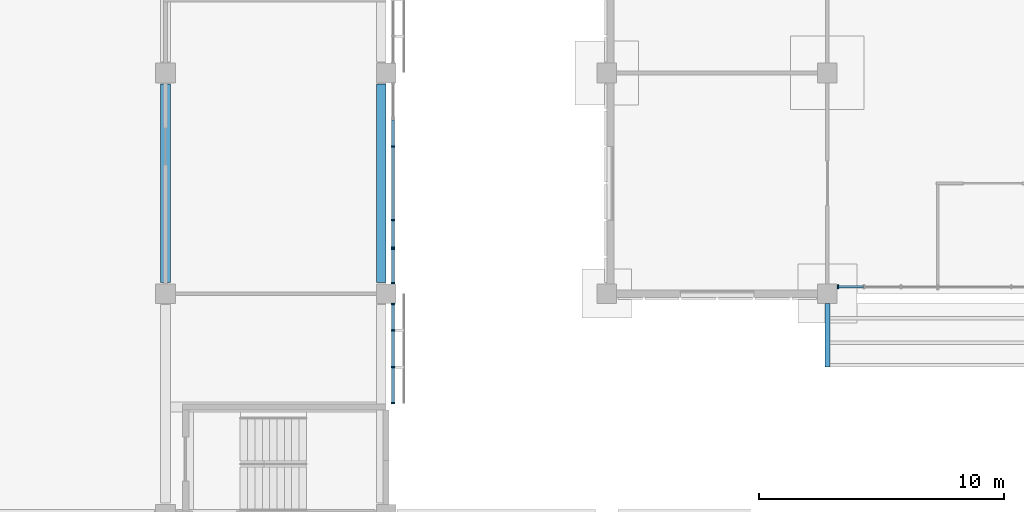
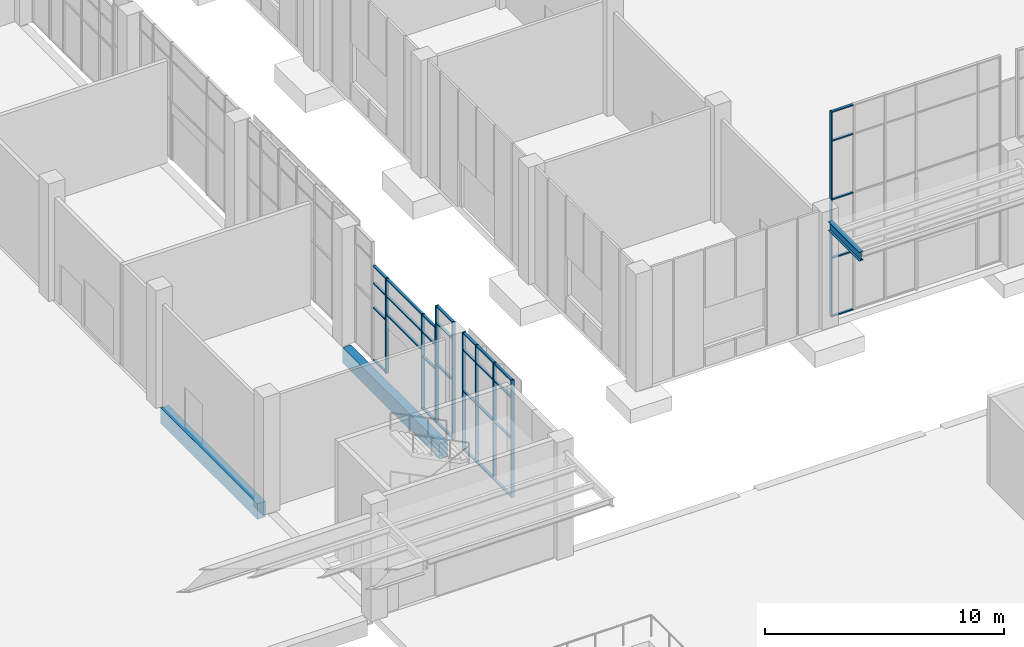
# One storey, part 17 of 86: 42 members, 3 beams, 4 elements without a shape of their own.
"""IFC4 building model written with IfcOpenShell, lengths in metres."""

from ifc_helpers import new_model, si_unit, direction, frame, origin, origin_2d, place, context, subcontext, project, spatial, rectangle, i_section, extrude, material, layer, layer_set, material_profile, profile_set, type_object, element, aggregate, save


model = new_model("IFC4")

# Units and contexts
model_context = context("Model", 3, precision=1e-05, world=origin(), true_north=direction((0.0, 1.0)))
body_context = subcontext(model_context, "Body", "Model", "MODEL_VIEW")
ifc_project = project(units=[si_unit("LENGTHUNIT", "METRE"), si_unit("AREAUNIT", "SQUARE_METRE"), si_unit("VOLUMEUNIT", "CUBIC_METRE"), si_unit("PLANEANGLEUNIT", "RADIAN"), si_unit("MASSUNIT", "GRAM", prefix="KILO")], contexts=[model_context])

# Site, building, storey
site_placement = place(None, origin())
site = spatial("IfcSite", under=ifc_project, at=site_placement, CompositionType="ELEMENT")
building_placement = place(site_placement, origin())
building = spatial("IfcBuilding", under=site, at=building_placement, Name="Guidao Yard Department Store", CompositionType="ELEMENT")
storey_placement = place(building_placement, origin())
storey = spatial("IfcBuildingStorey", under=building, at=storey_placement, Name="L00", CompositionType="ELEMENT", Elevation=0.0)

# Beams
ifc_material_1 = material(Name="Concrete C40", Category="concrete")
ifc_material_profile_1 = material_profile(ifc_material_1, rectangle(XDim=0.39990234375, YDim=0.800048828125, at=origin_2d()), Name="Edge beam 400 x 800 C40")
ifc_profile_set_1 = profile_set([ifc_material_profile_1], Name="Concrete C40")
beam_type_1 = type_object("IfcBeamType", Name="Edge beam 400 x 800 C40", PredefinedType="BEAM", material=ifc_profile_set_1)
beam_1_placement = place(storey_placement, frame((99.0, 54.449951171875, -0.39990234375), z_axis=(0.0, 1.0, 0.0), x_axis=(-1.0, 0.0, 0.0)))
element("IfcBeam", 1, at=beam_1_placement, inside=storey, type_object=beam_type_1, Name="Beam EB63", PredefinedType="BEAM", context=body_context, shape_type="SweptSolid", body=[
    extrude(rectangle(XDim=0.39990234375, YDim=0.800048828125, at=origin_2d()), origin(), (0.0, 0.0, 1.0), 8.10009765625),
])
ifc_material_2 = material(Name="Steel Q355B", Category="steel")
ifc_material_profile_2 = material_profile(ifc_material_2, i_section(OverallWidth=0.199951171875, OverallDepth=0.449951171875, WebThickness=0.009033203125, FlangeThickness=0.013916015625, FilletRadius=0.012939453125, at=origin_2d()), Name="HN 450x200x9x14")
ifc_profile_set_2 = profile_set([ifc_material_profile_2], Name="Steel Q355B")
beam_type_2 = type_object("IfcBeamType", Name="HN 450x200x9x14", PredefinedType="BEAM", material=ifc_profile_set_2)
beam_2_placement = place(storey_placement, frame((126.0, 53.60009765625, 5.22509765625), z_axis=(0.0, -1.0, 0.0), x_axis=(1.0, 0.0, 0.0)))
element("IfcBeam", 2, at=beam_2_placement, inside=storey, type_object=beam_type_2, Name="Canopy beam FS-1", PredefinedType="BEAM", context=body_context, shape_type="SweptSolid", body=[
    extrude(i_section(OverallWidth=0.199951171875, OverallDepth=0.449951171875, WebThickness=0.009033203125, FlangeThickness=0.013916015625, FilletRadius=0.012939453125, at=origin_2d()), origin(), (0.0, 0.0, 1.0), 2.60009765625),
])

# Curtain wall, members
ifc_material_3 = material(Name="Aluminium and glass", Category="aluminium")
ifc_layer_1 = layer(ifc_material_3, 0.159912109375)
ifc_layer_set_1 = layer_set([ifc_layer_1], Name="Shopfront curtain wall CW1 1500 module")
curtain_wall_type_1 = type_object("IfcCurtainWallType", Name="Shopfront curtain wall CW1 1500 module", PredefinedType="NOTDEFINED", material=ifc_layer_set_1)
curtain_wall_1_placement = place(storey_placement, origin())
curtain_wall_1 = element("IfcCurtainWall", 3, at=curtain_wall_1_placement, inside=storey, type_object=curtain_wall_type_1, Name="Arcade shop front", PredefinedType="NOTDEFINED")
ifc_material_4 = material(Name="Aluminium 6063-T5", Category="aluminium")
ifc_material_profile_3 = material_profile(ifc_material_4, rectangle(XDim=0.06005859375, YDim=0.159912109375, at=origin_2d()), Name="Mullion M1 60 x 160 aluminium pressure plate")
ifc_profile_set_3 = profile_set([ifc_material_profile_3], Name="Aluminium 6063-T5")
member_type_1 = type_object("IfcMemberType", Name="Mullion M1 60 x 160 aluminium pressure plate", PredefinedType="MULLION", material=ifc_profile_set_3)
member_1_placement = place(storey_placement, frame((108.280029296875, 49.530029296875, 0.0), z_axis=(0.0, 0.0, 1.0), x_axis=(0.0, -1.0, 0.0)))
member_1 = element("IfcMember", 4, at=member_1_placement, type_object=member_type_1, Name="CW-AS-L00-11 mullion 1", PredefinedType="MULLION", context=body_context, shape_type="SweptSolid", body=[
    extrude(rectangle(XDim=0.06005859375, YDim=0.159912109375, at=origin_2d()), origin(), (0.0, 0.0, 1.0), 6.0),
])
member_2_placement = place(storey_placement, frame((108.280029296875, 51.0, 0.0), z_axis=(0.0, 0.0, 1.0), x_axis=(0.0, -1.0, 0.0)))
member_2 = element("IfcMember", 5, at=member_2_placement, type_object=member_type_1, Name="CW-AS-L00-11 mullion 2", PredefinedType="MULLION", context=body_context, shape_type="SweptSolid", body=[
    extrude(rectangle(XDim=0.06005859375, YDim=0.159912109375, at=origin_2d()), origin(), (0.0, 0.0, 1.0), 6.0),
])
member_3_placement = place(storey_placement, frame((108.280029296875, 52.5, 0.0), z_axis=(0.0, 0.0, 1.0), x_axis=(0.0, -1.0, 0.0)))
member_3 = element("IfcMember", 6, at=member_3_placement, type_object=member_type_1, Name="CW-AS-L00-11 mullion 3", PredefinedType="MULLION", context=body_context, shape_type="SweptSolid", body=[
    extrude(rectangle(XDim=0.06005859375, YDim=0.159912109375, at=origin_2d()), origin(), (0.0, 0.0, 1.0), 6.0),
])
member_4_placement = place(storey_placement, frame((108.280029296875, 53.570068359375, 0.0), z_axis=(0.0, 0.0, 1.0), x_axis=(0.0, -1.0, 0.0)))
member_4 = element("IfcMember", 7, at=member_4_placement, type_object=member_type_1, Name="CW-AS-L00-11 mullion 4", PredefinedType="MULLION", context=body_context, shape_type="SweptSolid", body=[
    extrude(rectangle(XDim=0.06005859375, YDim=0.159912109375, at=origin_2d()), origin(), (0.0, 0.0, 1.0), 6.0),
])

curtain_wall_2_placement = place(storey_placement, origin())
curtain_wall_2 = element("IfcCurtainWall", 8, at=curtain_wall_2_placement, inside=storey, type_object=curtain_wall_type_1, Name="Arcade shop front", PredefinedType="NOTDEFINED")
member_5_placement = place(storey_placement, frame((108.280029296875, 54.429931640625, 0.0), z_axis=(0.0, 0.0, 1.0), x_axis=(0.0, -1.0, 0.0)))
member_5 = element("IfcMember", 9, at=member_5_placement, type_object=member_type_1, Name="CW-AS-L00-12 mullion 1", PredefinedType="MULLION", context=body_context, shape_type="SweptSolid", body=[
    extrude(rectangle(XDim=0.06005859375, YDim=0.159912109375, at=origin_2d()), origin(), (0.0, 0.0, 1.0), 6.0),
])
member_6_placement = place(storey_placement, frame((108.280029296875, 55.820068359375, 0.0), z_axis=(0.0, 0.0, 1.0), x_axis=(0.0, -1.0, 0.0)))
member_6 = element("IfcMember", 10, at=member_6_placement, type_object=member_type_1, Name="CW-AS-L00-12 mullion 2", PredefinedType="MULLION", context=body_context, shape_type="SweptSolid", body=[
    extrude(rectangle(XDim=0.06005859375, YDim=0.159912109375, at=origin_2d()), origin(), (0.0, 0.0, 1.0), 6.0),
])

curtain_wall_3_placement = place(storey_placement, origin())
curtain_wall_3 = element("IfcCurtainWall", 11, at=curtain_wall_3_placement, inside=storey, type_object=curtain_wall_type_1, Name="Arcade shop front", PredefinedType="NOTDEFINED")
member_7_placement = place(storey_placement, frame((108.280029296875, 55.8798828125, 0.0), z_axis=(0.0, 0.0, 1.0), x_axis=(0.0, -1.0, 0.0)))
member_7 = element("IfcMember", 12, at=member_7_placement, type_object=member_type_1, Name="CW-AS-L00-13 mullion 1", PredefinedType="MULLION", context=body_context, shape_type="SweptSolid", body=[
    extrude(rectangle(XDim=0.06005859375, YDim=0.159912109375, at=origin_2d()), origin(), (0.0, 0.0, 1.0), 4.85009765625),
])
member_8_placement = place(storey_placement, frame((108.280029296875, 57.0, 0.0), z_axis=(0.0, 0.0, 1.0), x_axis=(0.0, -1.0, 0.0)))
member_8 = element("IfcMember", 13, at=member_8_placement, type_object=member_type_1, Name="CW-AS-L00-13 mullion 2", PredefinedType="MULLION", context=body_context, shape_type="SweptSolid", body=[
    extrude(rectangle(XDim=0.06005859375, YDim=0.159912109375, at=origin_2d()), origin(), (0.0, 0.0, 1.0), 4.85009765625),
])
member_9_placement = place(storey_placement, frame((108.280029296875, 60.0, 0.0), z_axis=(0.0, 0.0, 1.0), x_axis=(0.0, -1.0, 0.0)))
member_9 = element("IfcMember", 14, at=member_9_placement, type_object=member_type_1, Name="CW-AS-L00-13 mullion 3", PredefinedType="MULLION", context=body_context, shape_type="SweptSolid", body=[
    extrude(rectangle(XDim=0.06005859375, YDim=0.159912109375, at=origin_2d()), origin(), (0.0, 0.0, 1.0), 4.85009765625),
])

# Curtain wall, member
ifc_material_5 = material(Name="Stainless steel and glass", Category="steel")
ifc_layer_2 = layer(ifc_material_5, 0.159912109375)
ifc_layer_set_2 = layer_set([ifc_layer_2], Name="Food hall front curtain wall CW3 1500 module")
curtain_wall_type_2 = type_object("IfcCurtainWallType", Name="Food hall front curtain wall CW3 1500 module", PredefinedType="NOTDEFINED", material=ifc_layer_set_2)
curtain_wall_4_placement = place(storey_placement, origin())
curtain_wall_4 = element("IfcCurtainWall", 15, at=curtain_wall_4_placement, inside=storey, type_object=curtain_wall_type_2, Name="Food hall front curtain wall", PredefinedType="NOTDEFINED")
ifc_material_6 = material(Name="Stainless steel 316", Category="steel")
ifc_material_profile_4 = material_profile(ifc_material_6, rectangle(XDim=0.06005859375, YDim=0.159912109375, at=origin_2d()), Name="Mullion M2 60 x 160 stainless pressure plate")
ifc_profile_set_4 = profile_set([ifc_material_profile_4], Name="Stainless steel 316")
member_type_2 = type_object("IfcMemberType", Name="Mullion M2 60 x 160 stainless pressure plate", PredefinedType="MULLION", material=ifc_profile_set_4)
member_10_placement = place(storey_placement, frame((126.429931640625, 54.280029296875, 0.0), z_axis=(0.0, 0.0, 1.0), x_axis=(-1.0, 0.0, 0.0)))
member_10 = element("IfcMember", 16, at=member_10_placement, type_object=member_type_2, Name="CW-FH-L00-01 mullion 1", PredefinedType="MULLION", context=body_context, shape_type="SweptSolid", body=[
    extrude(rectangle(XDim=0.06005859375, YDim=0.159912109375, at=origin_2d()), origin(), (0.0, 0.0, 1.0), 10.5),
])

# Beam
ifc_material_7 = material(Name="Concrete C40", Category="concrete")
ifc_material_profile_5 = material_profile(ifc_material_7, rectangle(XDim=0.39990234375, YDim=0.800048828125, at=origin_2d()), Name="Spandrel beam 400 x 800 C40")
ifc_profile_set_5 = profile_set([ifc_material_profile_5], Name="Concrete C40")
beam_type_3 = type_object("IfcBeamType", Name="Spandrel beam 400 x 800 C40", PredefinedType="SPANDREL", material=ifc_profile_set_5)
beam_3_placement = place(storey_placement, frame((107.800048828125, 54.449951171875, -0.39990234375), z_axis=(0.0, 1.0, 0.0), x_axis=(-1.0, 0.0, 0.0)))
element("IfcBeam", 17, at=beam_3_placement, inside=storey, type_object=beam_type_3, Name="Beam EB47", PredefinedType="SPANDREL", context=body_context, shape_type="SweptSolid", body=[
    extrude(rectangle(XDim=0.39990234375, YDim=0.800048828125, at=origin_2d()), origin(), (0.0, 0.0, 1.0), 8.10009765625),
])

# Member
ifc_material_8 = material(Name="Aluminium 6063-T5", Category="aluminium")
ifc_material_profile_6 = material_profile(ifc_material_8, rectangle(XDim=0.1201171875, YDim=0.06005859375, at=origin_2d()), Name="Transom T1 60 x 120 aluminium pressure plate")
ifc_profile_set_6 = profile_set([ifc_material_profile_6], Name="Aluminium 6063-T5")
member_type_3 = type_object("IfcMemberType", Name="Transom T1 60 x 120 aluminium pressure plate", PredefinedType="USERDEFINED", material=ifc_profile_set_6)
member_11_placement = place(storey_placement, frame((108.280029296875, 50.969970703125, 0.030029296875), z_axis=(0.0, -1.0, 0.0), x_axis=(1.0, 0.0, 0.0)))
member_11 = element("IfcMember", 18, at=member_11_placement, type_object=member_type_3, Name="CW-AS-L00-11 transom 1.1", ObjectType="TRANSOM", PredefinedType="USERDEFINED", context=body_context, shape_type="SweptSolid", body=[
    extrude(rectangle(XDim=0.1201171875, YDim=0.06005859375, at=origin_2d()), origin(), (0.0, 0.0, 1.0), 1.409912109375),
])

member_12_placement = place(storey_placement, frame((108.280029296875, 50.969970703125, 3.0), z_axis=(0.0, -1.0, 0.0), x_axis=(1.0, 0.0, 0.0)))
member_12 = element("IfcMember", 19, at=member_12_placement, type_object=member_type_3, Name="CW-AS-L00-11 transom 1.2", ObjectType="TRANSOM", PredefinedType="USERDEFINED", context=body_context, shape_type="SweptSolid", body=[
    extrude(rectangle(XDim=0.1201171875, YDim=0.06005859375, at=origin_2d()), origin(), (0.0, 0.0, 1.0), 1.409912109375),
])

member_13_placement = place(storey_placement, frame((108.280029296875, 50.969970703125, 5.10009765625), z_axis=(0.0, -1.0, 0.0), x_axis=(1.0, 0.0, 0.0)))
member_13 = element("IfcMember", 20, at=member_13_placement, type_object=member_type_3, Name="CW-AS-L00-11 transom 1.3", ObjectType="TRANSOM", PredefinedType="USERDEFINED", context=body_context, shape_type="SweptSolid", body=[
    extrude(rectangle(XDim=0.1201171875, YDim=0.06005859375, at=origin_2d()), origin(), (0.0, 0.0, 1.0), 1.409912109375),
])

member_14_placement = place(storey_placement, frame((108.280029296875, 50.969970703125, 5.969970703125), z_axis=(0.0, -1.0, 0.0), x_axis=(1.0, 0.0, 0.0)))
member_14 = element("IfcMember", 21, at=member_14_placement, type_object=member_type_3, Name="CW-AS-L00-11 transom 1.4", ObjectType="TRANSOM", PredefinedType="USERDEFINED", context=body_context, shape_type="SweptSolid", body=[
    extrude(rectangle(XDim=0.1201171875, YDim=0.06005859375, at=origin_2d()), origin(), (0.0, 0.0, 1.0), 1.409912109375),
])

member_15_placement = place(storey_placement, frame((108.280029296875, 52.469970703125, 0.030029296875), z_axis=(0.0, -1.0, 0.0), x_axis=(1.0, 0.0, 0.0)))
member_15 = element("IfcMember", 22, at=member_15_placement, type_object=member_type_3, Name="CW-AS-L00-11 transom 2.1", ObjectType="TRANSOM", PredefinedType="USERDEFINED", context=body_context, shape_type="SweptSolid", body=[
    extrude(rectangle(XDim=0.1201171875, YDim=0.06005859375, at=origin_2d()), origin(), (0.0, 0.0, 1.0), 1.43994140625),
])

member_16_placement = place(storey_placement, frame((108.280029296875, 52.469970703125, 3.0), z_axis=(0.0, -1.0, 0.0), x_axis=(1.0, 0.0, 0.0)))
member_16 = element("IfcMember", 23, at=member_16_placement, type_object=member_type_3, Name="CW-AS-L00-11 transom 2.2", ObjectType="TRANSOM", PredefinedType="USERDEFINED", context=body_context, shape_type="SweptSolid", body=[
    extrude(rectangle(XDim=0.1201171875, YDim=0.06005859375, at=origin_2d()), origin(), (0.0, 0.0, 1.0), 1.43994140625),
])

member_17_placement = place(storey_placement, frame((108.280029296875, 52.469970703125, 5.10009765625), z_axis=(0.0, -1.0, 0.0), x_axis=(1.0, 0.0, 0.0)))
member_17 = element("IfcMember", 24, at=member_17_placement, type_object=member_type_3, Name="CW-AS-L00-11 transom 2.3", ObjectType="TRANSOM", PredefinedType="USERDEFINED", context=body_context, shape_type="SweptSolid", body=[
    extrude(rectangle(XDim=0.1201171875, YDim=0.06005859375, at=origin_2d()), origin(), (0.0, 0.0, 1.0), 1.43994140625),
])

member_18_placement = place(storey_placement, frame((108.280029296875, 52.469970703125, 5.969970703125), z_axis=(0.0, -1.0, 0.0), x_axis=(1.0, 0.0, 0.0)))
member_18 = element("IfcMember", 25, at=member_18_placement, type_object=member_type_3, Name="CW-AS-L00-11 transom 2.4", ObjectType="TRANSOM", PredefinedType="USERDEFINED", context=body_context, shape_type="SweptSolid", body=[
    extrude(rectangle(XDim=0.1201171875, YDim=0.06005859375, at=origin_2d()), origin(), (0.0, 0.0, 1.0), 1.43994140625),
])

member_19_placement = place(storey_placement, frame((108.280029296875, 53.5400390625, 0.030029296875), z_axis=(0.0, -1.0, 0.0), x_axis=(1.0, 0.0, 0.0)))
member_19 = element("IfcMember", 26, at=member_19_placement, type_object=member_type_3, Name="CW-AS-L00-11 transom 3.1", ObjectType="TRANSOM", PredefinedType="USERDEFINED", context=body_context, shape_type="SweptSolid", body=[
    extrude(rectangle(XDim=0.1201171875, YDim=0.06005859375, at=origin_2d()), origin(), (0.0, 0.0, 1.0), 1.010009765625),
])

member_20_placement = place(storey_placement, frame((108.280029296875, 53.5400390625, 3.0), z_axis=(0.0, -1.0, 0.0), x_axis=(1.0, 0.0, 0.0)))
member_20 = element("IfcMember", 27, at=member_20_placement, type_object=member_type_3, Name="CW-AS-L00-11 transom 3.2", ObjectType="TRANSOM", PredefinedType="USERDEFINED", context=body_context, shape_type="SweptSolid", body=[
    extrude(rectangle(XDim=0.1201171875, YDim=0.06005859375, at=origin_2d()), origin(), (0.0, 0.0, 1.0), 1.010009765625),
])

member_21_placement = place(storey_placement, frame((108.280029296875, 53.5400390625, 5.10009765625), z_axis=(0.0, -1.0, 0.0), x_axis=(1.0, 0.0, 0.0)))
member_21 = element("IfcMember", 28, at=member_21_placement, type_object=member_type_3, Name="CW-AS-L00-11 transom 3.3", ObjectType="TRANSOM", PredefinedType="USERDEFINED", context=body_context, shape_type="SweptSolid", body=[
    extrude(rectangle(XDim=0.1201171875, YDim=0.06005859375, at=origin_2d()), origin(), (0.0, 0.0, 1.0), 1.010009765625),
])

member_22_placement = place(storey_placement, frame((108.280029296875, 53.5400390625, 5.969970703125), z_axis=(0.0, -1.0, 0.0), x_axis=(1.0, 0.0, 0.0)))
member_22 = element("IfcMember", 29, at=member_22_placement, type_object=member_type_3, Name="CW-AS-L00-11 transom 3.4", ObjectType="TRANSOM", PredefinedType="USERDEFINED", context=body_context, shape_type="SweptSolid", body=[
    extrude(rectangle(XDim=0.1201171875, YDim=0.06005859375, at=origin_2d()), origin(), (0.0, 0.0, 1.0), 1.010009765625),
])

aggregate(curtain_wall_1, [member_1, member_2, member_3, member_4, member_11, member_12, member_13, member_14, member_15, member_16, member_17, member_18, member_19, member_20, member_21, member_22])

member_23_placement = place(storey_placement, frame((108.280029296875, 55.7900390625, 0.030029296875), z_axis=(0.0, -1.0, 0.0), x_axis=(1.0, 0.0, 0.0)))
member_23 = element("IfcMember", 30, at=member_23_placement, type_object=member_type_3, Name="CW-AS-L00-12 transom 1.1", ObjectType="TRANSOM", PredefinedType="USERDEFINED", context=body_context, shape_type="SweptSolid", body=[
    extrude(rectangle(XDim=0.1201171875, YDim=0.06005859375, at=origin_2d()), origin(), (0.0, 0.0, 1.0), 1.330078125),
])

member_24_placement = place(storey_placement, frame((108.280029296875, 55.7900390625, 3.0), z_axis=(0.0, -1.0, 0.0), x_axis=(1.0, 0.0, 0.0)))
member_24 = element("IfcMember", 31, at=member_24_placement, type_object=member_type_3, Name="CW-AS-L00-12 transom 1.2", ObjectType="TRANSOM", PredefinedType="USERDEFINED", context=body_context, shape_type="SweptSolid", body=[
    extrude(rectangle(XDim=0.1201171875, YDim=0.06005859375, at=origin_2d()), origin(), (0.0, 0.0, 1.0), 1.330078125),
])

member_25_placement = place(storey_placement, frame((108.280029296875, 55.7900390625, 5.10009765625), z_axis=(0.0, -1.0, 0.0), x_axis=(1.0, 0.0, 0.0)))
member_25 = element("IfcMember", 32, at=member_25_placement, type_object=member_type_3, Name="CW-AS-L00-12 transom 1.3", ObjectType="TRANSOM", PredefinedType="USERDEFINED", context=body_context, shape_type="SweptSolid", body=[
    extrude(rectangle(XDim=0.1201171875, YDim=0.06005859375, at=origin_2d()), origin(), (0.0, 0.0, 1.0), 1.330078125),
])

member_26_placement = place(storey_placement, frame((108.280029296875, 55.7900390625, 5.969970703125), z_axis=(0.0, -1.0, 0.0), x_axis=(1.0, 0.0, 0.0)))
member_26 = element("IfcMember", 33, at=member_26_placement, type_object=member_type_3, Name="CW-AS-L00-12 transom 1.4", ObjectType="TRANSOM", PredefinedType="USERDEFINED", context=body_context, shape_type="SweptSolid", body=[
    extrude(rectangle(XDim=0.1201171875, YDim=0.06005859375, at=origin_2d()), origin(), (0.0, 0.0, 1.0), 1.330078125),
])

aggregate(curtain_wall_2, [member_5, member_6, member_23, member_24, member_25, member_26])

member_27_placement = place(storey_placement, frame((108.280029296875, 56.969970703125, 0.030029296875), z_axis=(0.0, -1.0, 0.0), x_axis=(1.0, 0.0, 0.0)))
member_27 = element("IfcMember", 34, at=member_27_placement, type_object=member_type_3, Name="CW-AS-L00-13 transom 1.1", ObjectType="TRANSOM", PredefinedType="USERDEFINED", context=body_context, shape_type="SweptSolid", body=[
    extrude(rectangle(XDim=0.1201171875, YDim=0.06005859375, at=origin_2d()), origin(), (0.0, 0.0, 1.0), 1.06005859375),
])

member_28_placement = place(storey_placement, frame((108.280029296875, 56.969970703125, 2.699951171875), z_axis=(0.0, -1.0, 0.0), x_axis=(1.0, 0.0, 0.0)))
member_28 = element("IfcMember", 35, at=member_28_placement, type_object=member_type_3, Name="CW-AS-L00-13 transom 1.2", ObjectType="TRANSOM", PredefinedType="USERDEFINED", context=body_context, shape_type="SweptSolid", body=[
    extrude(rectangle(XDim=0.1201171875, YDim=0.06005859375, at=origin_2d()), origin(), (0.0, 0.0, 1.0), 1.06005859375),
])

member_29_placement = place(storey_placement, frame((108.280029296875, 56.969970703125, 3.949951171875), z_axis=(0.0, -1.0, 0.0), x_axis=(1.0, 0.0, 0.0)))
member_29 = element("IfcMember", 36, at=member_29_placement, type_object=member_type_3, Name="CW-AS-L00-13 transom 1.3", ObjectType="TRANSOM", PredefinedType="USERDEFINED", context=body_context, shape_type="SweptSolid", body=[
    extrude(rectangle(XDim=0.1201171875, YDim=0.06005859375, at=origin_2d()), origin(), (0.0, 0.0, 1.0), 1.06005859375),
])

member_30_placement = place(storey_placement, frame((108.280029296875, 56.969970703125, 4.820068359375), z_axis=(0.0, -1.0, 0.0), x_axis=(1.0, 0.0, 0.0)))
member_30 = element("IfcMember", 37, at=member_30_placement, type_object=member_type_3, Name="CW-AS-L00-13 transom 1.4", ObjectType="TRANSOM", PredefinedType="USERDEFINED", context=body_context, shape_type="SweptSolid", body=[
    extrude(rectangle(XDim=0.1201171875, YDim=0.06005859375, at=origin_2d()), origin(), (0.0, 0.0, 1.0), 1.06005859375),
])

member_31_placement = place(storey_placement, frame((108.280029296875, 59.969970703125, 3.0), z_axis=(0.0, -1.0, 0.0), x_axis=(1.0, 0.0, 0.0)))
member_31 = element("IfcMember", 38, at=member_31_placement, type_object=member_type_3, Name="CW-AS-L00-13 transom 2.2", ObjectType="TRANSOM", PredefinedType="USERDEFINED", context=body_context, shape_type="SweptSolid", body=[
    extrude(rectangle(XDim=0.1201171875, YDim=0.06005859375, at=origin_2d()), origin(), (0.0, 0.0, 1.0), 2.93994140625),
])

member_32_placement = place(storey_placement, frame((108.280029296875, 59.969970703125, 3.949951171875), z_axis=(0.0, -1.0, 0.0), x_axis=(1.0, 0.0, 0.0)))
member_32 = element("IfcMember", 39, at=member_32_placement, type_object=member_type_3, Name="CW-AS-L00-13 transom 2.3", ObjectType="TRANSOM", PredefinedType="USERDEFINED", context=body_context, shape_type="SweptSolid", body=[
    extrude(rectangle(XDim=0.1201171875, YDim=0.06005859375, at=origin_2d()), origin(), (0.0, 0.0, 1.0), 2.93994140625),
])

member_33_placement = place(storey_placement, frame((108.280029296875, 59.969970703125, 4.820068359375), z_axis=(0.0, -1.0, 0.0), x_axis=(1.0, 0.0, 0.0)))
member_33 = element("IfcMember", 40, at=member_33_placement, type_object=member_type_3, Name="CW-AS-L00-13 transom 2.4", ObjectType="TRANSOM", PredefinedType="USERDEFINED", context=body_context, shape_type="SweptSolid", body=[
    extrude(rectangle(XDim=0.1201171875, YDim=0.06005859375, at=origin_2d()), origin(), (0.0, 0.0, 1.0), 2.93994140625),
])

member_34_placement = place(storey_placement, frame((108.280029296875, 61.090087890625, 0.030029296875), z_axis=(0.0, -1.0, 0.0), x_axis=(1.0, 0.0, 0.0)))
member_34 = element("IfcMember", 41, at=member_34_placement, type_object=member_type_3, Name="CW-AS-L00-13 transom 3.1", ObjectType="TRANSOM", PredefinedType="USERDEFINED", context=body_context, shape_type="SweptSolid", body=[
    extrude(rectangle(XDim=0.1201171875, YDim=0.06005859375, at=origin_2d()), origin(), (0.0, 0.0, 1.0), 1.06005859375),
])

member_35_placement = place(storey_placement, frame((108.280029296875, 61.090087890625, 2.699951171875), z_axis=(0.0, -1.0, 0.0), x_axis=(1.0, 0.0, 0.0)))
member_35 = element("IfcMember", 42, at=member_35_placement, type_object=member_type_3, Name="CW-AS-L00-13 transom 3.2", ObjectType="TRANSOM", PredefinedType="USERDEFINED", context=body_context, shape_type="SweptSolid", body=[
    extrude(rectangle(XDim=0.1201171875, YDim=0.06005859375, at=origin_2d()), origin(), (0.0, 0.0, 1.0), 1.06005859375),
])

member_36_placement = place(storey_placement, frame((108.280029296875, 61.090087890625, 3.949951171875), z_axis=(0.0, -1.0, 0.0), x_axis=(1.0, 0.0, 0.0)))
member_36 = element("IfcMember", 43, at=member_36_placement, type_object=member_type_3, Name="CW-AS-L00-13 transom 3.3", ObjectType="TRANSOM", PredefinedType="USERDEFINED", context=body_context, shape_type="SweptSolid", body=[
    extrude(rectangle(XDim=0.1201171875, YDim=0.06005859375, at=origin_2d()), origin(), (0.0, 0.0, 1.0), 1.06005859375),
])

member_37_placement = place(storey_placement, frame((108.280029296875, 61.090087890625, 4.820068359375), z_axis=(0.0, -1.0, 0.0), x_axis=(1.0, 0.0, 0.0)))
member_37 = element("IfcMember", 44, at=member_37_placement, type_object=member_type_3, Name="CW-AS-L00-13 transom 3.4", ObjectType="TRANSOM", PredefinedType="USERDEFINED", context=body_context, shape_type="SweptSolid", body=[
    extrude(rectangle(XDim=0.1201171875, YDim=0.06005859375, at=origin_2d()), origin(), (0.0, 0.0, 1.0), 1.06005859375),
])

aggregate(curtain_wall_3, [member_7, member_8, member_9, member_27, member_28, member_29, member_30, member_31, member_32, member_33, member_34, member_35, member_36, member_37])

ifc_material_9 = material(Name="Stainless steel 316", Category="steel")
ifc_material_profile_7 = material_profile(ifc_material_9, rectangle(XDim=0.1201171875, YDim=0.06005859375, at=origin_2d()), Name="Transom T2 60 x 120 stainless pressure plate")
ifc_profile_set_7 = profile_set([ifc_material_profile_7], Name="Stainless steel 316")
member_type_4 = type_object("IfcMemberType", Name="Transom T2 60 x 120 stainless pressure plate", PredefinedType="USERDEFINED", material=ifc_profile_set_7)
member_38_placement = place(storey_placement, frame((127.469970703125, 54.280029296875, 0.030029296875), z_axis=(-1.0, 0.0, 0.0), x_axis=(0.0, -1.0, 0.0)))
member_38 = element("IfcMember", 45, at=member_38_placement, type_object=member_type_4, Name="CW-FH-L00-01 transom 1.1", ObjectType="TRANSOM", PredefinedType="USERDEFINED", context=body_context, shape_type="SweptSolid", body=[
    extrude(rectangle(XDim=0.1201171875, YDim=0.06005859375, at=origin_2d()), origin(), (0.0, 0.0, 1.0), 1.010009765625),
])

member_39_placement = place(storey_placement, frame((127.469970703125, 54.280029296875, 3.0), z_axis=(-1.0, 0.0, 0.0), x_axis=(0.0, -1.0, 0.0)))
member_39 = element("IfcMember", 46, at=member_39_placement, type_object=member_type_4, Name="CW-FH-L00-01 transom 1.2", ObjectType="TRANSOM", PredefinedType="USERDEFINED", context=body_context, shape_type="SweptSolid", body=[
    extrude(rectangle(XDim=0.1201171875, YDim=0.06005859375, at=origin_2d()), origin(), (0.0, 0.0, 1.0), 1.010009765625),
])

member_40_placement = place(storey_placement, frame((127.469970703125, 54.280029296875, 6.0), z_axis=(-1.0, 0.0, 0.0), x_axis=(0.0, -1.0, 0.0)))
member_40 = element("IfcMember", 47, at=member_40_placement, type_object=member_type_4, Name="CW-FH-L00-01 transom 1.3", ObjectType="TRANSOM", PredefinedType="USERDEFINED", context=body_context, shape_type="SweptSolid", body=[
    extrude(rectangle(XDim=0.1201171875, YDim=0.06005859375, at=origin_2d()), origin(), (0.0, 0.0, 1.0), 1.010009765625),
])

member_41_placement = place(storey_placement, frame((127.469970703125, 54.280029296875, 9.0), z_axis=(-1.0, 0.0, 0.0), x_axis=(0.0, -1.0, 0.0)))
member_41 = element("IfcMember", 48, at=member_41_placement, type_object=member_type_4, Name="CW-FH-L00-01 transom 1.4", ObjectType="TRANSOM", PredefinedType="USERDEFINED", context=body_context, shape_type="SweptSolid", body=[
    extrude(rectangle(XDim=0.1201171875, YDim=0.06005859375, at=origin_2d()), origin(), (0.0, 0.0, 1.0), 1.010009765625),
])

member_42_placement = place(storey_placement, frame((127.469970703125, 54.280029296875, 10.469970703125), z_axis=(-1.0, 0.0, 0.0), x_axis=(0.0, -1.0, 0.0)))
member_42 = element("IfcMember", 49, at=member_42_placement, type_object=member_type_4, Name="CW-FH-L00-01 transom 1.5", ObjectType="TRANSOM", PredefinedType="USERDEFINED", context=body_context, shape_type="SweptSolid", body=[
    extrude(rectangle(XDim=0.1201171875, YDim=0.06005859375, at=origin_2d()), origin(), (0.0, 0.0, 1.0), 1.010009765625),
])

aggregate(curtain_wall_4, [member_10, member_38, member_39, member_40, member_41, member_42])

save(model, "model.ifc")
